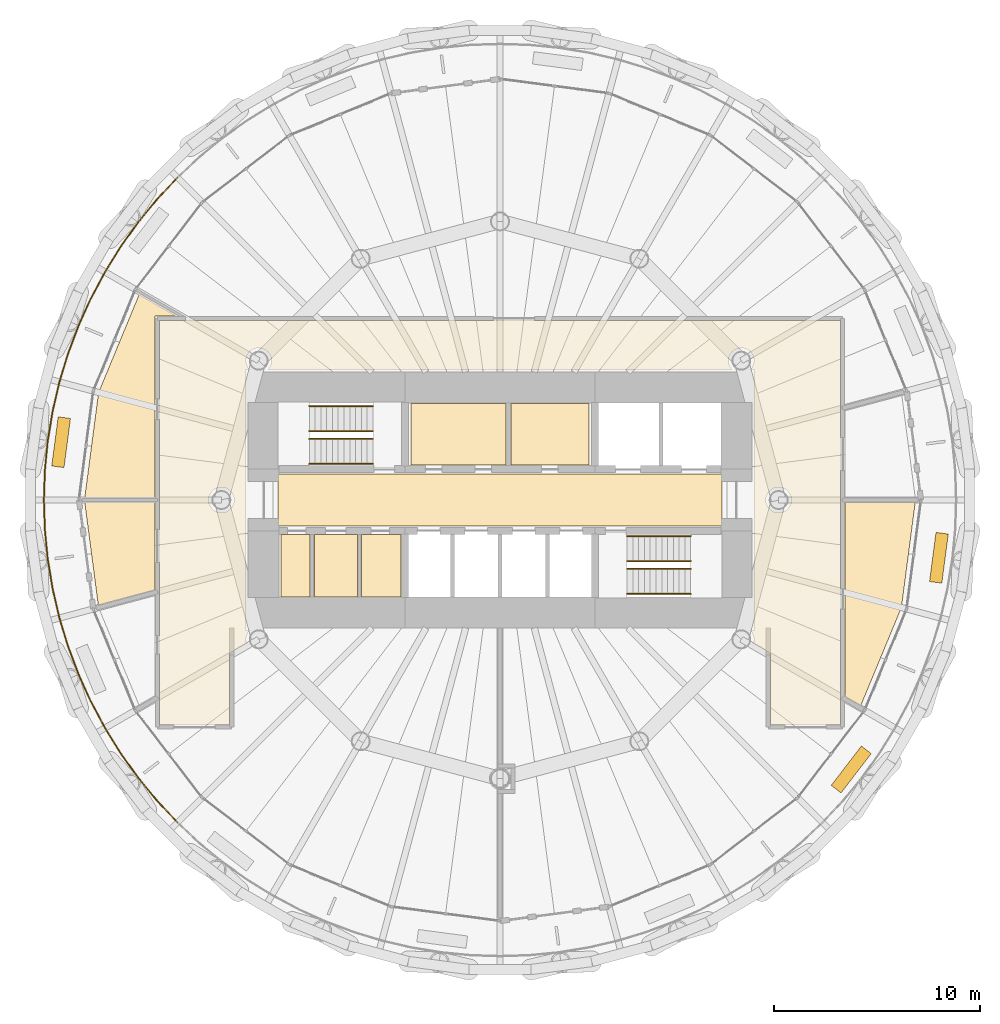
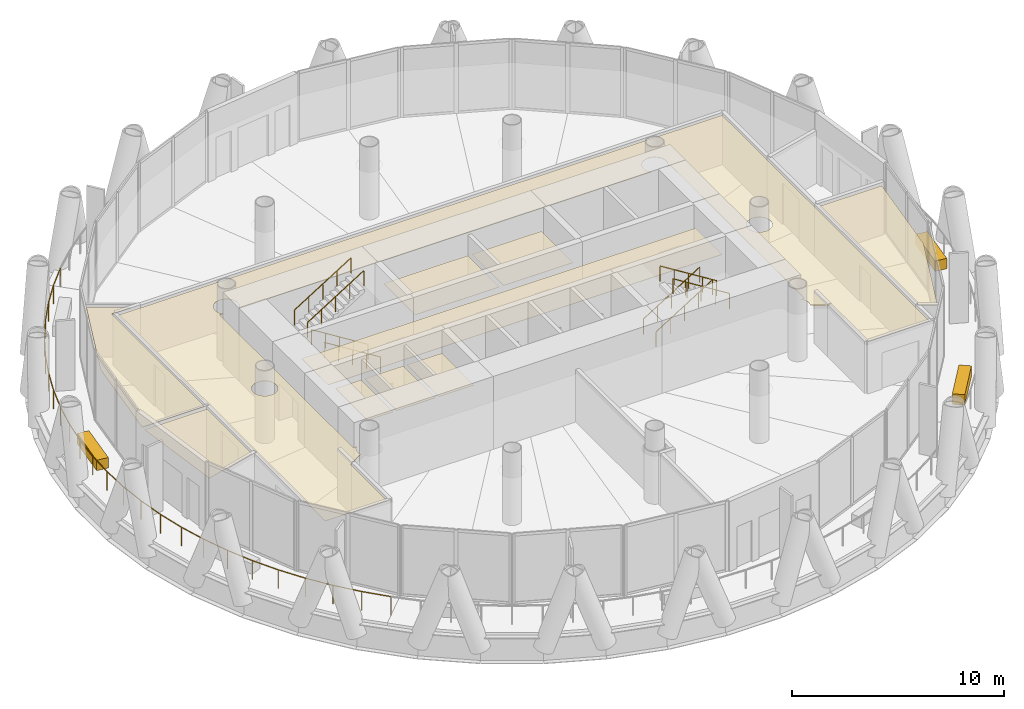
# One storey, part 13 of 14: 13 coverings, 9 railings.
"""IFC4 building model written with IfcOpenShell, lengths in metres."""

from ifc_helpers import new_model, si_unit, direction, frame, origin, origin_2d, place, context, subcontext, project, spatial, polyline, rectangle, circle, outline, extrude, material, layer, layer_set, type_object, element, save


model = new_model("IFC4")

# Units and contexts
model_context = context("Model", 3, precision=1e-05, world=origin(), true_north=direction((0.0, 1.0)))
body_context = subcontext(model_context, "Body", "Model", "MODEL_VIEW")
ifc_project = project(units=[si_unit("LENGTHUNIT", "METRE"), si_unit("AREAUNIT", "SQUARE_METRE"), si_unit("VOLUMEUNIT", "CUBIC_METRE"), si_unit("PLANEANGLEUNIT", "RADIAN"), si_unit("MASSUNIT", "GRAM", prefix="KILO")], contexts=[model_context])

# Site, building, storey
site_placement = place(None, origin())
site = spatial("IfcSite", under=ifc_project, at=site_placement, CompositionType="ELEMENT")
building_placement = place(site_placement, origin())
building = spatial("IfcBuilding", under=site, at=building_placement, Name="Qaws Media Tower", CompositionType="ELEMENT")
storey_placement = place(building_placement, frame((0.0, 0.0, 215.0)))
storey = spatial("IfcBuildingStorey", under=building, at=storey_placement, Name="L49", CompositionType="ELEMENT", Elevation=215.0)

# Covering
ifc_material_1 = material(Name="40 perforated acoustic panels with mineral wool backing, suspended", Category="mineral fibre")
ifc_layer_1 = layer(ifc_material_1, 0.0400390625)
ifc_layer_set_1 = layer_set([ifc_layer_1], Name="Acoustic panel ceiling 40")
covering_type_1 = type_object("IfcCoveringType", Name="Acoustic panel ceiling 40", PredefinedType="CEILING", material=ifc_layer_set_1)
covering_1_placement = place(storey_placement, frame((0.0, 0.0, 2.85009765625)))
element("IfcCovering", 1, at=covering_1_placement, inside=storey, type_object=covering_type_1, Name="CL3 ceiling L49-04 Meeting room", PredefinedType="CEILING", context=body_context, shape_type="SweptSolid", body=[
    extrude(outline(polyline([(40.55078125, 55.21142578125), (42.51904296875, 59.962890625), (44.338134765625, 58.91259765625), (43.28759765625, 58.91259765625), (43.28759765625, 50.112548828125), (39.879638671875, 50.112548828125), (40.55078125, 55.21142578125)])), origin(), (0.0, 0.0, 1.0), 0.039794921875),
])

# Railing
ifc_material_2 = material(Name="Stainless steel and glass guard", Category="steel")
railing_type_1 = type_object("IfcRailingType", Name="Balcony guard 1100", PredefinedType="GUARDRAIL", material=ifc_material_2)
railing_placement = place(storey_placement, frame((44.373046875, 65.626953125, 0.0)))
element("IfcRailing", 2, at=railing_placement, inside=storey, type_object=railing_type_1, Name="GR1 balcony guard L49-2", PredefinedType="GUARDRAIL", context=body_context, shape_type="SweptSolid", body=[
    extrude(circle(Radius=0.02392578125, at=origin_2d()), frame((0.0, 0.0, 1.076171875), z_axis=(-0.68368839637, -0.729774058644, 0.0), x_axis=(0.729774058644, -0.68368839637, 0.0)), (0.0, 0.0, 1.0), 1.4462890625),
    extrude(circle(Radius=0.02392578125, at=origin_2d()), frame((-0.98876953125, -1.055419921875, 1.076171875), z_axis=(-0.63440456353, -0.773001196488, 0.0), x_axis=(0.773001196488, -0.63440456353, 0.0)), (0.0, 0.0, 1.0), 1.4462890625),
    extrude(circle(Radius=0.02392578125, at=origin_2d()), frame((-1.90625, -2.17333984375, 1.076171875), z_axis=(-0.582435286495, -0.81287707376, 0.0), x_axis=(0.81287707376, -0.582435286495, 0.0)), (0.0, 0.0, 1.0), 1.446044921875),
    extrude(circle(Radius=0.02392578125, at=origin_2d()), frame((-2.74853515625, -3.348876953125, 1.076171875), z_axis=(-0.528085504014, -0.849191203705, 0.0), x_axis=(0.849191203705, -0.528085504014, 0.0)), (0.0, 0.0, 1.0), 1.446044921875),
    extrude(circle(Radius=0.02392578125, at=origin_2d()), frame((-3.51220703125, -4.576904296875, 1.076171875), z_axis=(-0.471359159005, -0.881941349083, 0.0), x_axis=(0.881941349083, -0.471359159005, 0.0)), (0.0, 0.0, 1.0), 1.446044921875),
    extrude(circle(Radius=0.02392578125, at=origin_2d()), frame((-4.19384765625, -5.852294921875, 1.076171875), z_axis=(-0.412721624125, -0.91085721218, 0.0), x_axis=(0.91085721218, -0.412721624125, 0.0)), (0.0, 0.0, 1.0), 1.4462890625),
    extrude(circle(Radius=0.02392578125, at=origin_2d()), frame((-4.790771484375, -7.169677734375, 1.076171875), z_axis=(-0.35230714561, -0.935884434721, 0.0), x_axis=(0.935884434721, -0.35230714561, 0.0)), (0.0, 0.0, 1.0), 1.4462890625),
    extrude(circle(Radius=0.02392578125, at=origin_2d()), frame((-5.30029296875, -8.523193359375, 1.076171875), z_axis=(-0.290227625888, -0.956957640218, 0.0), x_axis=(0.956957640218, -0.290227625888, 0.0)), (0.0, 0.0, 1.0), 1.446044921875),
    extrude(circle(Radius=0.02392578125, at=origin_2d()), frame((-5.719970703125, -9.906982421875, 1.076171875), z_axis=(-0.227053505584, -0.97388228529, 0.0), x_axis=(0.97388228529, -0.227053505584, 0.0)), (0.0, 0.0, 1.0), 1.4462890625),
    extrude(circle(Radius=0.02392578125, at=origin_2d()), frame((-6.04833984375, -11.3154296875, 1.076171875), z_axis=(-0.162893270559, -0.986643695772, 0.0), x_axis=(0.986643695772, -0.162893270559, 0.0)), (0.0, 0.0, 1.0), 1.4462890625),
    extrude(circle(Radius=0.02392578125, at=origin_2d()), frame((-6.283935546875, -12.742431640625, 1.076171875), z_axis=(-0.098082877559, -0.995178249928, 0.0), x_axis=(0.995178249928, -0.098082877559, 0.0)), (0.0, 0.0, 1.0), 1.4462890625),
    extrude(circle(Radius=0.02392578125, at=origin_2d()), frame((-6.42578125, -14.181640625, 1.076171875), z_axis=(-0.032752688587, -0.999463486772, 0.0), x_axis=(0.999463486772, -0.032752688587, 0.0)), (0.0, 0.0, 1.0), 1.446044921875),
    extrude(circle(Radius=0.02392578125, at=origin_2d()), frame((-6.47314453125, -15.626953125, 1.076171875), z_axis=(0.032752688587, -0.999463486772, 0.0), x_axis=(0.999463486772, 0.032752688587, 0.0)), (0.0, 0.0, 1.0), 1.446044921875),
    extrude(circle(Radius=0.02392578125, at=origin_2d()), frame((-6.42578125, -17.072265625, 1.076171875), z_axis=(0.098082877559, -0.995178249928, 0.0), x_axis=(0.995178249928, 0.098082877559, 0.0)), (0.0, 0.0, 1.0), 1.4462890625),
    extrude(circle(Radius=0.02392578125, at=origin_2d()), frame((-6.283935546875, -18.511474609375, 1.076171875), z_axis=(0.162893270559, -0.986643695772, 0.0), x_axis=(0.986643695772, 0.162893270559, 0.0)), (0.0, 0.0, 1.0), 1.4462890625),
    extrude(circle(Radius=0.02392578125, at=origin_2d()), frame((-6.04833984375, -19.9384765625, 1.076171875), z_axis=(0.227053505584, -0.97388228529, 0.0), x_axis=(0.97388228529, 0.227053505584, 0.0)), (0.0, 0.0, 1.0), 1.4462890625),
    extrude(circle(Radius=0.02392578125, at=origin_2d()), frame((-5.719970703125, -21.346923828125, 1.076171875), z_axis=(0.290227625888, -0.956957640218, 0.0), x_axis=(0.956957640218, 0.290227625888, 0.0)), (0.0, 0.0, 1.0), 1.446044921875),
    extrude(circle(Radius=0.02392578125, at=origin_2d()), frame((-5.30029296875, -22.730712890625, 1.076171875), z_axis=(0.35230714561, -0.935884434721, 0.0), x_axis=(0.935884434721, 0.35230714561, 0.0)), (0.0, 0.0, 1.0), 1.4462890625),
    extrude(circle(Radius=0.02392578125, at=origin_2d()), frame((-4.790771484375, -24.084228515625, 1.076171875), z_axis=(0.412721624125, -0.91085721218, 0.0), x_axis=(0.91085721218, 0.412721624125, 0.0)), (0.0, 0.0, 1.0), 1.4462890625),
    extrude(circle(Radius=0.02392578125, at=origin_2d()), frame((-4.19384765625, -25.401611328125, 1.076171875), z_axis=(0.471359159005, -0.881941349083, 0.0), x_axis=(0.881941349083, 0.471359159005, 0.0)), (0.0, 0.0, 1.0), 1.446044921875),
    extrude(circle(Radius=0.02392578125, at=origin_2d()), frame((-3.51220703125, -26.677001953125, 1.076171875), z_axis=(0.528085504014, -0.849191203705, 0.0), x_axis=(0.849191203705, 0.528085504014, 0.0)), (0.0, 0.0, 1.0), 1.446044921875),
    extrude(circle(Radius=0.02392578125, at=origin_2d()), frame((-2.74853515625, -27.905029296875, 1.076171875), z_axis=(0.582435286495, -0.81287707376, 0.0), x_axis=(0.81287707376, 0.582435286495, 0.0)), (0.0, 0.0, 1.0), 1.446044921875),
    extrude(circle(Radius=0.02392578125, at=origin_2d()), frame((-1.90625, -29.08056640625, 1.076171875), z_axis=(0.63440456353, -0.773001196488, 0.0), x_axis=(0.773001196488, 0.63440456353, 0.0)), (0.0, 0.0, 1.0), 1.4462890625),
    extrude(circle(Radius=0.02392578125, at=origin_2d()), frame((-0.98876953125, -30.198486328125, 1.076171875), z_axis=(0.68368839637, -0.729774058644, 0.0), x_axis=(0.729774058644, 0.68368839637, 0.0)), (0.0, 0.0, 1.0), 1.4462890625),
    extrude(circle(Radius=0.02099609375, at=origin_2d()), origin(), (0.0, 0.0, 1.0), 1.052001953125),
    extrude(circle(Radius=0.02099609375, at=origin_2d()), frame((-0.98876953125, -1.055419921875, 0.0)), (0.0, 0.0, 1.0), 1.052001953125),
    extrude(circle(Radius=0.02099609375, at=origin_2d()), frame((-1.90625, -2.17333984375, 0.0)), (0.0, 0.0, 1.0), 1.052001953125),
    extrude(circle(Radius=0.02099609375, at=origin_2d()), frame((-2.74853515625, -3.348876953125, 0.0)), (0.0, 0.0, 1.0), 1.052001953125),
    extrude(circle(Radius=0.02099609375, at=origin_2d()), frame((-3.51220703125, -4.576904296875, 0.0)), (0.0, 0.0, 1.0), 1.052001953125),
    extrude(circle(Radius=0.02099609375, at=origin_2d()), frame((-4.19384765625, -5.852294921875, 0.0)), (0.0, 0.0, 1.0), 1.052001953125),
    extrude(circle(Radius=0.02099609375, at=origin_2d()), frame((-4.790771484375, -7.169677734375, 0.0)), (0.0, 0.0, 1.0), 1.052001953125),
    extrude(circle(Radius=0.02099609375, at=origin_2d()), frame((-5.30029296875, -8.523193359375, 0.0)), (0.0, 0.0, 1.0), 1.052001953125),
    extrude(circle(Radius=0.02099609375, at=origin_2d()), frame((-5.719970703125, -9.906982421875, 0.0)), (0.0, 0.0, 1.0), 1.052001953125),
    extrude(circle(Radius=0.02099609375, at=origin_2d()), frame((-6.04833984375, -11.3154296875, 0.0)), (0.0, 0.0, 1.0), 1.052001953125),
    extrude(circle(Radius=0.02099609375, at=origin_2d()), frame((-6.283935546875, -12.742431640625, 0.0)), (0.0, 0.0, 1.0), 1.052001953125),
    extrude(circle(Radius=0.02099609375, at=origin_2d()), frame((-6.42578125, -14.181640625, 0.0)), (0.0, 0.0, 1.0), 1.052001953125),
    extrude(circle(Radius=0.02099609375, at=origin_2d()), frame((-6.47314453125, -15.626953125, 0.0)), (0.0, 0.0, 1.0), 1.052001953125),
    extrude(circle(Radius=0.02099609375, at=origin_2d()), frame((-6.42578125, -17.072265625, 0.0)), (0.0, 0.0, 1.0), 1.052001953125),
    extrude(circle(Radius=0.02099609375, at=origin_2d()), frame((-6.283935546875, -18.511474609375, 0.0)), (0.0, 0.0, 1.0), 1.052001953125),
    extrude(circle(Radius=0.02099609375, at=origin_2d()), frame((-6.04833984375, -19.9384765625, 0.0)), (0.0, 0.0, 1.0), 1.052001953125),
    extrude(circle(Radius=0.02099609375, at=origin_2d()), frame((-5.719970703125, -21.346923828125, 0.0)), (0.0, 0.0, 1.0), 1.052001953125),
    extrude(circle(Radius=0.02099609375, at=origin_2d()), frame((-5.30029296875, -22.730712890625, 0.0)), (0.0, 0.0, 1.0), 1.052001953125),
    extrude(circle(Radius=0.02099609375, at=origin_2d()), frame((-4.790771484375, -24.084228515625, 0.0)), (0.0, 0.0, 1.0), 1.052001953125),
    extrude(circle(Radius=0.02099609375, at=origin_2d()), frame((-4.19384765625, -25.401611328125, 0.0)), (0.0, 0.0, 1.0), 1.052001953125),
    extrude(circle(Radius=0.02099609375, at=origin_2d()), frame((-3.51220703125, -26.677001953125, 0.0)), (0.0, 0.0, 1.0), 1.052001953125),
    extrude(circle(Radius=0.02099609375, at=origin_2d()), frame((-2.74853515625, -27.905029296875, 0.0)), (0.0, 0.0, 1.0), 1.052001953125),
    extrude(circle(Radius=0.02099609375, at=origin_2d()), frame((-1.90625, -29.08056640625, 0.0)), (0.0, 0.0, 1.0), 1.052001953125),
    extrude(circle(Radius=0.02099609375, at=origin_2d()), frame((-0.98876953125, -30.198486328125, 0.0)), (0.0, 0.0, 1.0), 1.052001953125),
    extrude(circle(Radius=0.02099609375, at=origin_2d()), frame((0.0, -31.25390625, 0.0)), (0.0, 0.0, 1.0), 1.052001953125),
])

# Coverings
ifc_material_3 = material(Name="600 x 600 mineral fibre tiles in exposed grid, suspended", Category="mineral fibre")
ifc_layer_2 = layer(ifc_material_3, 0.02001953125)
ifc_layer_set_2 = layer_set([ifc_layer_2], Name="Mineral fibre tile ceiling 20")
covering_type_2 = type_object("IfcCoveringType", Name="Mineral fibre tile ceiling 20", PredefinedType="CEILING", material=ifc_layer_set_2)
covering_2_placement = place(storey_placement, frame((0.0, 0.0, 2.85009765625)))
element("IfcCovering", 3, at=covering_2_placement, inside=storey, type_object=covering_type_2, Name="CL1 ceiling L49-C07 Ladies toilets", PredefinedType="CEILING", context=body_context, shape_type="SweptSolid", body=[
    extrude(outline(polyline([(55.695068359375, 51.695068359375), (55.695068359375, 54.679931640625), (60.2822265625, 54.679931640625), (60.2822265625, 51.695068359375), (55.695068359375, 51.695068359375)])), origin(), (0.0, 0.0, 1.0), 0.02001953125),
])
covering_3_placement = place(storey_placement, frame((0.0, 0.0, 2.85009765625)))
element("IfcCovering", 4, at=covering_3_placement, inside=storey, type_object=covering_type_2, Name="CL1 ceiling L49-C08 Gents toilets", PredefinedType="CEILING", context=body_context, shape_type="SweptSolid", body=[
    extrude(outline(polyline([(60.522216796875, 51.695068359375), (60.522216796875, 54.679931640625), (64.304931640625, 54.679931640625), (64.304931640625, 51.695068359375), (60.522216796875, 51.695068359375)])), origin(), (0.0, 0.0, 1.0), 0.02001953125),
])
covering_4_placement = place(storey_placement, frame((0.0, 0.0, 2.85009765625)))
element("IfcCovering", 5, at=covering_4_placement, inside=storey, type_object=covering_type_2, Name="CL1 ceiling L49-01 Corridor", PredefinedType="CEILING", context=body_context, shape_type="SweptSolid", body=[
    extrude(outline(polyline([(43.512451171875, 39.112548828125), (43.512451171875, 58.6875), (76.487548828125, 58.6875), (76.487548828125, 39.112548828125), (73.112548828125, 39.112548828125), (73.112548828125, 42.559326171875), (72.27197265625, 43.044921875), (72.287353515625, 43.09033203125), (72.302978515625, 43.16943359375), (72.308349609375, 43.25), (72.302978515625, 43.33056640625), (72.287353515625, 43.40966796875), (72.261474609375, 43.486083984375), (72.2255859375, 43.55859375), (72.180908203125, 43.62548828125), (72.126220703125, 43.6875), (72.3125, 43.6875), (72.3125, 56.3125), (72.126220703125, 56.3125), (72.180908203125, 56.37451171875), (72.2255859375, 56.44140625), (72.261474609375, 56.513916015625), (72.287353515625, 56.59033203125), (72.302978515625, 56.66943359375), (72.308349609375, 56.75), (72.302978515625, 56.83056640625), (72.287353515625, 56.90966796875), (72.261474609375, 56.986083984375), (72.2255859375, 57.05859375), (72.180908203125, 57.12548828125), (72.127685546875, 57.186279296875), (72.06689453125, 57.239501953125), (71.999755859375, 57.2841796875), (71.927490234375, 57.320068359375), (71.85107421875, 57.345947265625), (71.77197265625, 57.36181640625), (71.69140625, 57.366943359375), (71.61083984375, 57.36181640625), (71.53173828125, 57.345947265625), (71.455078125, 57.320068359375), (71.3828125, 57.2841796875), (71.315673828125, 57.239501953125), (71.255126953125, 57.186279296875), (71.201904296875, 57.12548828125), (71.156982421875, 57.05859375), (71.121337890625, 56.986083984375), (71.095458984375, 56.90966796875), (71.07958984375, 56.83056640625), (71.07421875, 56.75), (71.07958984375, 56.66943359375), (71.095458984375, 56.59033203125), (71.121337890625, 56.513916015625), (71.156982421875, 56.44140625), (71.201904296875, 56.37451171875), (71.25634765625, 56.3125), (48.74365234375, 56.3125), (48.798095703125, 56.37451171875), (48.843017578125, 56.44140625), (48.878662109375, 56.513916015625), (48.904541015625, 56.59033203125), (48.92041015625, 56.66943359375), (48.92578125, 56.75), (48.92041015625, 56.83056640625), (48.904541015625, 56.90966796875), (48.878662109375, 56.986083984375), (48.843017578125, 57.05859375), (48.798095703125, 57.12548828125), (48.744873046875, 57.186279296875), (48.684326171875, 57.239501953125), (48.6171875, 57.2841796875), (48.544921875, 57.320068359375), (48.46826171875, 57.345947265625), (48.38916015625, 57.36181640625), (48.30859375, 57.366943359375), (48.22802734375, 57.36181640625), (48.14892578125, 57.345947265625), (48.072509765625, 57.320068359375), (48.000244140625, 57.2841796875), (47.93310546875, 57.239501953125), (47.872314453125, 57.186279296875), (47.819091796875, 57.12548828125), (47.7744140625, 57.05859375), (47.738525390625, 56.986083984375), (47.712646484375, 56.90966796875), (47.697021484375, 56.83056640625), (47.691650390625, 56.75), (47.697021484375, 56.66943359375), (47.712646484375, 56.59033203125), (47.738525390625, 56.513916015625), (47.7744140625, 56.44140625), (47.819091796875, 56.37451171875), (47.873779296875, 56.3125), (47.6875, 56.3125), (47.6875, 43.6875), (47.873779296875, 43.6875), (47.819091796875, 43.62548828125), (47.7744140625, 43.55859375), (47.738525390625, 43.486083984375), (47.712646484375, 43.40966796875), (47.697021484375, 43.33056640625), (47.691650390625, 43.25), (47.697021484375, 43.16943359375), (47.712646484375, 43.09033203125), (47.72802734375, 43.044921875), (46.887451171875, 42.559326171875), (46.887451171875, 39.112548828125), (43.512451171875, 39.112548828125)]), holes=[polyline([(47.070068359375, 49.763916015625), (47.095947265625, 49.84033203125), (47.11181640625, 49.91943359375), (47.116943359375, 50.0), (47.11181640625, 50.08056640625), (47.095947265625, 50.15966796875), (47.070068359375, 50.236083984375), (47.0341796875, 50.30859375), (46.989501953125, 50.37548828125), (46.936279296875, 50.436279296875), (46.87548828125, 50.489501953125), (46.80859375, 50.5341796875), (46.736083984375, 50.570068359375), (46.65966796875, 50.595947265625), (46.58056640625, 50.61181640625), (46.5, 50.616943359375), (46.41943359375, 50.61181640625), (46.34033203125, 50.595947265625), (46.263916015625, 50.570068359375), (46.19140625, 50.5341796875), (46.12451171875, 50.489501953125), (46.063720703125, 50.436279296875), (46.010498046875, 50.37548828125), (45.9658203125, 50.30859375), (45.929931640625, 50.236083984375), (45.904052734375, 50.15966796875), (45.88818359375, 50.08056640625), (45.883056640625, 50.0), (45.88818359375, 49.91943359375), (45.904052734375, 49.84033203125), (45.929931640625, 49.763916015625), (45.9658203125, 49.69140625), (46.010498046875, 49.62451171875), (46.063720703125, 49.563720703125), (46.12451171875, 49.510498046875), (46.19140625, 49.4658203125), (46.263916015625, 49.429931640625), (46.34033203125, 49.404052734375), (46.41943359375, 49.38818359375), (46.5, 49.383056640625), (46.58056640625, 49.38818359375), (46.65966796875, 49.404052734375), (46.736083984375, 49.429931640625), (46.80859375, 49.4658203125), (46.87548828125, 49.510498046875), (46.936279296875, 49.563720703125), (46.989501953125, 49.62451171875), (47.0341796875, 49.69140625), (47.070068359375, 49.763916015625)]), polyline([(74.095947265625, 49.84033203125), (74.11181640625, 49.91943359375), (74.116943359375, 50.0), (74.11181640625, 50.08056640625), (74.095947265625, 50.15966796875), (74.070068359375, 50.236083984375), (74.0341796875, 50.30859375), (73.989501953125, 50.37548828125), (73.936279296875, 50.436279296875), (73.87548828125, 50.489501953125), (73.80859375, 50.5341796875), (73.736083984375, 50.570068359375), (73.65966796875, 50.595947265625), (73.58056640625, 50.61181640625), (73.5, 50.616943359375), (73.41943359375, 50.61181640625), (73.34033203125, 50.595947265625), (73.263916015625, 50.570068359375), (73.19140625, 50.5341796875), (73.12451171875, 50.489501953125), (73.063720703125, 50.436279296875), (73.010498046875, 50.37548828125), (72.9658203125, 50.30859375), (72.929931640625, 50.236083984375), (72.904052734375, 50.15966796875), (72.88818359375, 50.08056640625), (72.883056640625, 50.0), (72.88818359375, 49.91943359375), (72.904052734375, 49.84033203125), (72.929931640625, 49.763916015625), (72.9658203125, 49.69140625), (73.010498046875, 49.62451171875), (73.063720703125, 49.563720703125), (73.12451171875, 49.510498046875), (73.19140625, 49.4658203125), (73.263916015625, 49.429931640625), (73.34033203125, 49.404052734375), (73.41943359375, 49.38818359375), (73.5, 49.383056640625), (73.58056640625, 49.38818359375), (73.65966796875, 49.404052734375), (73.736083984375, 49.429931640625), (73.80859375, 49.4658203125), (73.87548828125, 49.510498046875), (73.936279296875, 49.563720703125), (73.989501953125, 49.62451171875), (74.0341796875, 49.69140625), (74.070068359375, 49.763916015625), (74.095947265625, 49.84033203125)])]), origin(), (0.0, 0.0, 1.0), 0.02001953125),
])
covering_5_placement = place(storey_placement, frame((0.0, 0.0, 2.85009765625)))
element("IfcCovering", 6, at=covering_5_placement, inside=storey, type_object=covering_type_2, Name="CL1 ceiling L49-09 Tenant office", PredefinedType="CEILING", context=body_context, shape_type="SweptSolid", body=[
    extrude(outline(polyline([(79.44921875, 44.78857421875), (77.48095703125, 40.037109375), (76.71240234375, 40.48095703125), (76.71240234375, 49.887451171875), (80.120361328125, 49.887451171875), (79.44921875, 44.78857421875)])), origin(), (0.0, 0.0, 1.0), 0.02001953125),
])
covering_6_placement = place(storey_placement, frame((0.0, 0.0, 2.85009765625)))
element("IfcCovering", 7, at=covering_6_placement, inside=storey, type_object=covering_type_2, Name="CL1 ceiling L49-C04 Cleaner's room", PredefinedType="CEILING", context=body_context, shape_type="SweptSolid", body=[
    extrude(outline(polyline([(49.39990234375, 45.300048828125), (49.39990234375, 48.324951171875), (50.800048828125, 48.324951171875), (50.800048828125, 45.300048828125), (49.39990234375, 45.300048828125)])), origin(), (0.0, 0.0, 1.0), 0.02001953125),
])
covering_7_placement = place(storey_placement, frame((0.0, 0.0, 2.85009765625)))
element("IfcCovering", 8, at=covering_7_placement, inside=storey, type_object=covering_type_2, Name="CL1 ceiling L49-C06 Mothers' room", PredefinedType="CEILING", context=body_context, shape_type="SweptSolid", body=[
    extrude(outline(polyline([(53.300048828125, 45.300048828125), (53.300048828125, 48.324951171875), (55.199951171875, 48.324951171875), (55.199951171875, 45.300048828125), (53.300048828125, 45.300048828125)])), origin(), (0.0, 0.0, 1.0), 0.02001953125),
])
ifc_material_4 = material(Name="Precast concrete planter with trailing planting", Category="concrete")
ifc_layer_3 = layer(ifc_material_4, 0.60009765625)
ifc_layer_set_3 = layer_set([ifc_layer_3], Name="Planter 2400x600")
covering_type_3 = type_object("IfcCoveringType", Name="Planter 2400x600", PredefinedType="USERDEFINED", material=ifc_layer_set_3)
for number, where, z_axis, x_axis, name in (
    (9, (38.7333984375, 52.7998046875, 0.0), (0.0, 0.0, 1.0), (-0.13052619222, -0.991444861374, 0.0), "PL1 balcony planter L49-06"),
    (10, (77.017333984375, 36.942138671875, 0.0), (0.0, 0.0, 1.0), (0.608761429009, 0.793353340291, 0.0), "PL1 balcony planter L49-11"),
    (11, (81.2666015625, 47.2001953125, 0.0), (0.0, 0.0, 1.0), (0.13052619222, 0.991444861374, 0.0), "PL1 balcony planter L49-12"),
):
    element("IfcCovering", number, at=place(storey_placement, frame(where, z_axis=z_axis, x_axis=x_axis)), inside=storey, type_object=covering_type_3, Name=name, ObjectType="PLANTER", PredefinedType="USERDEFINED", context=body_context, shape_type="SweptSolid", body=[
        extrude(rectangle(XDim=2.39990234375, YDim=0.60009765625, at=origin_2d()), origin(), (0.0, 0.0, 1.0), 0.60009765625),
    ])
ifc_material_5 = material(Name="Two layers 12.5 moisture-resistant plasterboard on suspended metal furring", Category="gypsum")
ifc_layer_4 = layer(ifc_material_5, 0.02490234375)
ifc_layer_set_4 = layer_set([ifc_layer_4], Name="Plasterboard ceiling 25")
covering_type_4 = type_object("IfcCoveringType", Name="Plasterboard ceiling 25", PredefinedType="CEILING", material=ifc_layer_set_4)
covering_8_placement = place(storey_placement, frame((0.0, 0.0, 2.85009765625)))
element("IfcCovering", 12, at=covering_8_placement, inside=storey, type_object=covering_type_4, Name="CL2 ceiling L49-C01 Lift lobby", PredefinedType="CEILING", context=body_context, shape_type="SweptSolid", body=[
    extrude(outline(polyline([(49.25, 48.75), (49.25, 51.25), (70.75, 51.25), (70.75, 48.75), (49.25, 48.75)])), origin(), (0.0, 0.0, 1.0), 0.02490234375),
])
covering_9_placement = place(storey_placement, frame((0.0, 0.0, 2.85009765625)))
element("IfcCovering", 13, at=covering_9_placement, inside=storey, type_object=covering_type_4, Name="CL2 ceiling L49-05 Tenant reception", PredefinedType="CEILING", context=body_context, shape_type="SweptSolid", body=[
    extrude(outline(polyline([(39.879638671875, 49.887451171875), (43.28759765625, 49.887451171875), (43.28759765625, 45.638427734375), (40.535888671875, 44.901123046875), (39.879638671875, 49.887451171875)])), origin(), (0.0, 0.0, 1.0), 0.02490234375),
])
covering_10_placement = place(storey_placement, frame((0.0, 0.0, 2.85009765625)))
element("IfcCovering", 14, at=covering_10_placement, inside=storey, type_object=covering_type_4, Name="CL2 ceiling L49-C05 Accessible WC", PredefinedType="CEILING", context=body_context, shape_type="SweptSolid", body=[
    extrude(outline(polyline([(51.0, 45.300048828125), (51.0, 48.324951171875), (53.10009765625, 48.324951171875), (53.10009765625, 45.300048828125), (51.0, 45.300048828125)])), origin(), (0.0, 0.0, 1.0), 0.02490234375),
])

# Railings
ifc_material_6 = material(Name="Steel tube handrail", Category="steel")
railing_type_2 = type_object("IfcRailingType", Name="Stair handrail 900", PredefinedType="HANDRAIL", material=ifc_material_6)
for number, where, name in (
    (15, (53.840087890625, 51.75, 0.175048828125), "HR1 handrail S1 flight 1 L49"),
    (16, (53.840087890625, 52.9599609375, 0.175048828125), "HR1 handrail S1 flight 1 L49"),
):
    element("IfcRailing", number, at=place(storey_placement, frame(where)), inside=storey, type_object=railing_type_2, Name=name, PredefinedType="HANDRAIL", context=body_context, shape_type="SweptSolid", body=[
        extrude(circle(Radius=0.02392578125, at=origin_2d()), frame((0.0, 0.0, 0.8759765625), z_axis=(-0.847998304005, 0.0, 0.529998940003), x_axis=(0.0, -1.0, 0.0)), (0.0, 0.0, 1.0), 3.632080078125),
        extrude(circle(Radius=0.02099609375, at=origin_2d()), origin(), (0.0, 0.0, 1.0), 0.851806640625),
        extrude(circle(Radius=0.02099609375, at=origin_2d()), frame((-0.77001953125, 0.0, 0.481201171875)), (0.0, 0.0, 1.0), 0.851806640625),
        extrude(circle(Radius=0.02099609375, at=origin_2d()), frame((-1.5400390625, 0.0, 0.96240234375)), (0.0, 0.0, 1.0), 0.851806640625),
        extrude(circle(Radius=0.02099609375, at=origin_2d()), frame((-2.31005859375, 0.0, 1.44384765625)), (0.0, 0.0, 1.0), 0.851806640625),
        extrude(circle(Radius=0.02099609375, at=origin_2d()), frame((-3.080078125, 0.0, 1.925048828125)), (0.0, 0.0, 1.0), 0.851806640625),
    ])
for number, where, name in (
    (17, (50.760009765625, 54.550048828125, 2.27490234375), "HR1 handrail S1 flight 2 L49"),
    (18, (50.760009765625, 53.340087890625, 2.27490234375), "HR1 handrail S1 flight 2 L49"),
    (19, (66.159912109375, 48.25, 0.175048828125), "HR1 handrail S2 flight 1 L49"),
    (20, (66.159912109375, 47.0400390625, 0.175048828125), "HR1 handrail S2 flight 1 L49"),
):
    element("IfcRailing", number, at=place(storey_placement, frame(where)), inside=storey, type_object=railing_type_2, Name=name, PredefinedType="HANDRAIL", context=body_context, shape_type="SweptSolid", body=[
        extrude(circle(Radius=0.02392578125, at=origin_2d()), frame((0.0, 0.0, 0.8759765625), z_axis=(0.847998304005, 0.0, 0.529998940003), x_axis=(0.0, 1.0, 0.0)), (0.0, 0.0, 1.0), 3.632080078125),
        extrude(circle(Radius=0.02099609375, at=origin_2d()), origin(), (0.0, 0.0, 1.0), 0.851806640625),
        extrude(circle(Radius=0.02099609375, at=origin_2d()), frame((0.77001953125, 0.0, 0.481201171875)), (0.0, 0.0, 1.0), 0.851806640625),
        extrude(circle(Radius=0.02099609375, at=origin_2d()), frame((1.5400390625, 0.0, 0.96240234375)), (0.0, 0.0, 1.0), 0.851806640625),
        extrude(circle(Radius=0.02099609375, at=origin_2d()), frame((2.31005859375, 0.0, 1.44384765625)), (0.0, 0.0, 1.0), 0.851806640625),
        extrude(circle(Radius=0.02099609375, at=origin_2d()), frame((3.080078125, 0.0, 1.925048828125)), (0.0, 0.0, 1.0), 0.851806640625),
    ])
for number, where, name in (
    (21, (69.239990234375, 45.449951171875, 2.27490234375), "HR1 handrail S2 flight 2 L49"),
    (22, (69.239990234375, 46.659912109375, 2.27490234375), "HR1 handrail S2 flight 2 L49"),
):
    element("IfcRailing", number, at=place(storey_placement, frame(where)), inside=storey, type_object=railing_type_2, Name=name, PredefinedType="HANDRAIL", context=body_context, shape_type="SweptSolid", body=[
        extrude(circle(Radius=0.02392578125, at=origin_2d()), frame((0.0, 0.0, 0.8759765625), z_axis=(-0.847998304005, 0.0, 0.529998940003), x_axis=(0.0, -1.0, 0.0)), (0.0, 0.0, 1.0), 3.632080078125),
        extrude(circle(Radius=0.02099609375, at=origin_2d()), origin(), (0.0, 0.0, 1.0), 0.851806640625),
        extrude(circle(Radius=0.02099609375, at=origin_2d()), frame((-0.77001953125, 0.0, 0.481201171875)), (0.0, 0.0, 1.0), 0.851806640625),
        extrude(circle(Radius=0.02099609375, at=origin_2d()), frame((-1.5400390625, 0.0, 0.96240234375)), (0.0, 0.0, 1.0), 0.851806640625),
        extrude(circle(Radius=0.02099609375, at=origin_2d()), frame((-2.31005859375, 0.0, 1.44384765625)), (0.0, 0.0, 1.0), 0.851806640625),
        extrude(circle(Radius=0.02099609375, at=origin_2d()), frame((-3.080078125, 0.0, 1.925048828125)), (0.0, 0.0, 1.0), 0.851806640625),
    ])

save(model, "model.ifc")
